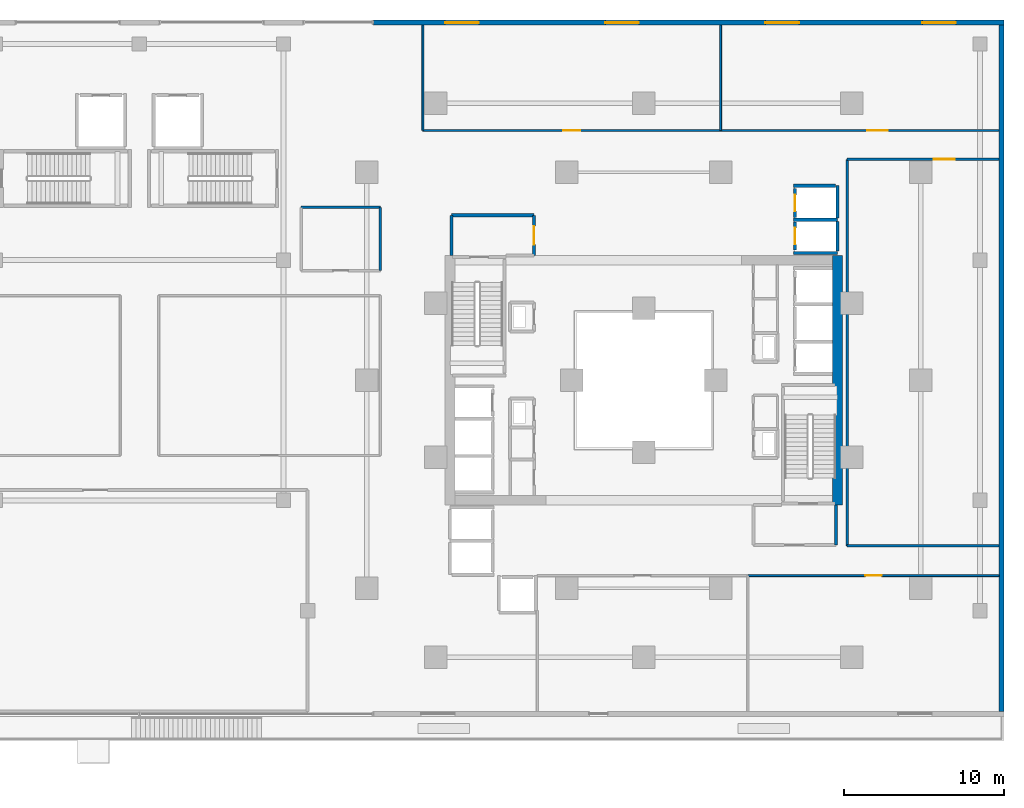
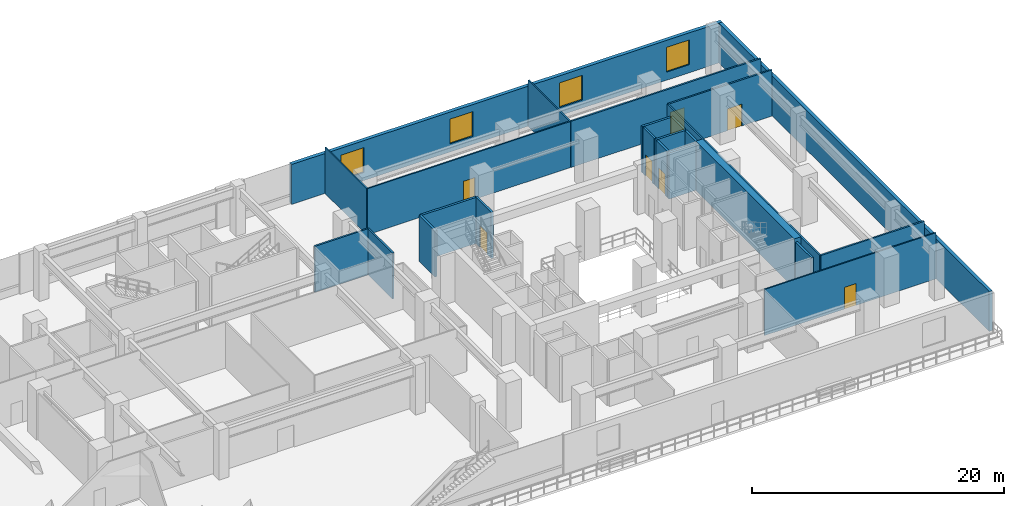
# One storey, part 16 of 22: 24 walls, 7 doors, 4 windows, 11 openings.
"""IFC4 building model written with IfcOpenShell, lengths in metres."""

from ifc_helpers import new_model, si_unit, direction, frame, frame_2d, origin, place, context, subcontext, project, spatial, rectangle, extrude, material, layer, layer_set, type_object, element, fill, save


model = new_model("IFC4")

# Units and contexts
model_context = context("Model", 3, precision=1e-05, world=origin(), true_north=direction((0.0, 1.0)))
body_context = subcontext(model_context, "Body", "Model", "MODEL_VIEW")
ifc_project = project(units=[si_unit("LENGTHUNIT", "METRE"), si_unit("AREAUNIT", "SQUARE_METRE"), si_unit("VOLUMEUNIT", "CUBIC_METRE"), si_unit("PLANEANGLEUNIT", "RADIAN"), si_unit("MASSUNIT", "GRAM", prefix="KILO")], contexts=[model_context])

# Site, building, storey
site_placement = place(None, origin())
site = spatial("IfcSite", under=ifc_project, at=site_placement, CompositionType="ELEMENT")
building_placement = place(site_placement, origin())
building = spatial("IfcBuilding", under=site, at=building_placement, Name="Thornwick Lancets Civic Towers", CompositionType="ELEMENT")
storey_placement = place(building_placement, frame((0.0, 0.0, 4.800048828125)))
storey = spatial("IfcBuildingStorey", under=building, at=storey_placement, Name="L01", CompositionType="ELEMENT", Elevation=4.800048828125)

# Wall, opening, door
ifc_material_1 = material(Name="Concrete blockwork C40/50", Category="masonry")
ifc_layer_1 = layer(ifc_material_1, 0.199951171875, Name="Concrete blockwork C40/50")
ifc_layer_set_1 = layer_set([ifc_layer_1], Name="Concrete blockwork C40/50")
wall_type_1 = type_object("IfcWallType", Name="WALL_COMP_200", PredefinedType="STANDARD", material=ifc_layer_set_1)
wall_1_placement = place(storey_placement, frame((97.949951171875, 36.8701171875, 0.0), z_axis=(0.0, 0.0, 1.0), x_axis=(0.0, -1.0, 0.0)))
wall_1 = element("IfcWall", 1, at=wall_1_placement, inside=storey, type_object=wall_type_1, Name="L01 Hoistway Front Wall PL-BL2", PredefinedType="STANDARD", context=body_context, shape_type="SweptSolid", body=[
    extrude(rectangle(XDim=1.740234375, YDim=0.199951171875, at=frame_2d((0.8701171875, 0.0))), origin(), (0.0, 0.0, 1.0), 4.4599609375),
])
opening_1_placement = place(wall_1_placement, frame((0.360107421875, 0.0, 0.0)))
opening_1 = element("IfcOpeningElement", 2, at=opening_1_placement, cuts=wall_1, Name="Opening LD-PL-BL2", PredefinedType="OPENING", context=body_context, shape_type="SweptSolid", body=[
    extrude(rectangle(XDim=1.02001953125, YDim=2.06005859375, at=frame_2d((0.510009765625, 1.030029296875))), frame((0.0, 0.10986328125, 0.0), z_axis=(0.0, -1.0, 0.0), x_axis=(1.0, 0.0, 0.0)), (0.0, 0.0, 1.0), 0.219970703125),
])
ifc_material_2 = material(Name="Brushed bronze stainless steel", Category="steel")
door_type_1 = type_object("IfcDoorType", Name="DOOR_LIFT_SLIDE", OperationType="SLIDING_TO_LEFT", PredefinedType="DOOR", material=ifc_material_2)
door_1_placement = place(opening_1_placement, origin())
door_1 = element("IfcDoor", 3, at=door_1_placement, inside=storey, type_object=door_type_1, Name="L01 Sliding Lift Landing Door LD-PL-BL2", OperationType="SLIDING_TO_LEFT", OverallHeight=2.06005859375, OverallWidth=1.02001953125, PredefinedType="DOOR", context=body_context, shape_type="SweptSolid", body=[
    extrude(rectangle(XDim=1.02001953125, YDim=2.06005859375, at=frame_2d((0.510009765625, 1.030029296875))), frame((0.0, 0.02490234375, 0.0), z_axis=(0.0, -1.0, 0.0), x_axis=(1.0, 0.0, 0.0)), (0.0, 0.0, 1.0), 0.050048828125),
])
fill(opening_1, door_1)

wall_2_placement = place(storey_placement, frame((97.949951171875, 38.969970703125, 0.0), z_axis=(0.0, 0.0, 1.0), x_axis=(0.0, -1.0, 0.0)))
wall_2 = element("IfcWall", 4, at=wall_2_placement, inside=storey, type_object=wall_type_1, Name="L01 Hoistway Front Wall PL-BL3", PredefinedType="STANDARD", context=body_context, shape_type="SweptSolid", body=[
    extrude(rectangle(XDim=1.7900390625, YDim=0.199951171875, at=frame_2d((0.89501953125, 0.0))), origin(), (0.0, 0.0, 1.0), 4.4599609375),
])
opening_2_placement = place(wall_2_placement, frame((0.385009765625, 0.0, 0.0)))
opening_2 = element("IfcOpeningElement", 5, at=opening_2_placement, cuts=wall_2, Name="Opening LD-PL-BL3", PredefinedType="OPENING", context=body_context, shape_type="SweptSolid", body=[
    extrude(rectangle(XDim=1.02001953125, YDim=2.06005859375, at=frame_2d((0.510009765625, 1.030029296875))), frame((0.0, 0.10986328125, 0.0), z_axis=(0.0, -1.0, 0.0), x_axis=(1.0, 0.0, 0.0)), (0.0, 0.0, 1.0), 0.219970703125),
])
door_2_placement = place(opening_2_placement, origin())
door_2 = element("IfcDoor", 6, at=door_2_placement, inside=storey, type_object=door_type_1, Name="L01 Sliding Lift Landing Door LD-PL-BL3", OperationType="SLIDING_TO_LEFT", OverallHeight=2.06005859375, OverallWidth=1.02001953125, PredefinedType="DOOR", context=body_context, shape_type="SweptSolid", body=[
    extrude(rectangle(XDim=1.02001953125, YDim=2.06005859375, at=frame_2d((0.510009765625, 1.030029296875))), frame((0.0, 0.02490234375, 0.0), z_axis=(0.0, -1.0, 0.0), x_axis=(1.0, 0.0, 0.0)), (0.0, 0.0, 1.0), 0.050048828125),
])
fill(opening_2, door_2)

# Walls
for number, where, z_axis, x_axis, name in (
    (7, (97.85205078125, 37.02490234375, 0.0), (0.0, 0.0, 1.0), (1.0, 0.0, 0.0), "L01 Hoistway Shaft Wall PL-BL2 N"),
    (8, (97.85205078125, 34.949951171875, 0.0), (0.0, 0.0, 1.0), (1.0, 0.0, 0.0), "L01 Hoistway Shaft Wall PL-BL2 S"),
):
    element("IfcWall", number, at=place(storey_placement, frame(where, z_axis=z_axis, x_axis=x_axis)), inside=storey, type_object=wall_type_1, Name=name, PredefinedType="STANDARD", context=body_context, shape_type="SweptSolid", body=[
        extrude(rectangle(XDim=2.745849609375, YDim=0.199951171875, at=frame_2d((1.373046875, 0.0))), origin(), (0.0, 0.0, 1.0), 4.4599609375),
    ])
wall_3_placement = place(storey_placement, frame((100.60009765625, 35.06201171875, 0.0), z_axis=(0.0, 0.0, 1.0), x_axis=(0.0, 1.0, 0.0)))
element("IfcWall", 9, at=wall_3_placement, inside=storey, type_object=wall_type_1, Name="L01 Hoistway Shaft Wall PL-BL2 E", PredefinedType="STANDARD", context=body_context, shape_type="SweptSolid", body=[
    extrude(rectangle(XDim=1.85595703125, YDim=0.199951171875, at=frame_2d((0.927978515625, 0.0))), origin(), (0.0, 0.0, 1.0), 4.4599609375),
])
wall_4_placement = place(storey_placement, frame((100.60009765625, 37.132080078125, 0.0), z_axis=(0.0, 0.0, 1.0), x_axis=(0.0, 1.0, 0.0)))
element("IfcWall", 10, at=wall_4_placement, inside=storey, type_object=wall_type_1, Name="L01 Hoistway Shaft Wall PL-BL2 E", PredefinedType="STANDARD", context=body_context, shape_type="SweptSolid", body=[
    extrude(rectangle(XDim=2.015869140625, YDim=0.199951171875, at=frame_2d((1.0078125, 0.0))), origin(), (0.0, 0.0, 1.0), 4.4599609375),
])
wall_5_placement = place(storey_placement, frame((97.85205078125, 39.14990234375, 0.0), z_axis=(0.0, 0.0, 1.0), x_axis=(1.0, 0.0, 0.0)))
element("IfcWall", 11, at=wall_5_placement, inside=storey, type_object=wall_type_1, Name="L01 Hoistway Shaft Wall PL-BL3 N", PredefinedType="STANDARD", context=body_context, shape_type="SweptSolid", body=[
    extrude(rectangle(XDim=2.635986328125, YDim=0.199951171875, at=frame_2d((1.31787109375, 0.0))), origin(), (0.0, 0.0, 1.0), 4.4599609375),
])
wall_6_placement = place(storey_placement, frame((100.5, 16.699951171875, 0.0), z_axis=(0.0, 0.0, 1.0), x_axis=(0.0, 1.0, 0.0)))
element("IfcWall", 12, at=wall_6_placement, inside=storey, type_object=wall_type_1, Name="L01 Partition L01-B-FFLOB1 E2", PredefinedType="STANDARD", context=body_context, shape_type="SweptSolid", body=[
    extrude(rectangle(XDim=2.5, YDim=0.199951171875, at=frame_2d((1.25, 0.0))), origin(), (0.0, 0.0, 1.0), 4.4599609375),
])

# Wall, opening, door
wall_7_placement = place(storey_placement, frame((81.64990234375, 34.800048828125, 0.0), z_axis=(0.0, 0.0, 1.0), x_axis=(0.0, 1.0, 0.0)))
wall_7 = element("IfcWall", 13, at=wall_7_placement, inside=storey, type_object=wall_type_1, Name="L01 Partition L01-B-FFLOB2 E2", PredefinedType="STANDARD", context=body_context, shape_type="SweptSolid", body=[
    extrude(rectangle(XDim=2.5, YDim=0.199951171875, at=frame_2d((1.25, 0.0))), origin(), (0.0, 0.0, 1.0), 4.4599609375),
])
opening_3_placement = place(wall_7_placement, frame((0.675048828125, 0.0, 0.0)))
opening_3 = element("IfcOpeningElement", 14, at=opening_3_placement, cuts=wall_7, Name="Opening D-L01-0106", PredefinedType="OPENING", context=body_context, shape_type="SweptSolid", body=[
    extrude(rectangle(XDim=1.14990234375, YDim=2.10009765625, at=frame_2d((0.574951171875, 1.050048828125))), frame((0.0, 0.10986328125, 0.0), z_axis=(0.0, -1.0, 0.0), x_axis=(1.0, 0.0, 0.0)), (0.0, 0.0, 1.0), 0.219970703125),
])
ifc_material_3 = material(Name="Glazed fire-resisting steel", Category="steel")
door_type_2 = type_object("IfcDoorType", Name="DOOR_LOBBY_FD60", OperationType="NOTDEFINED", PredefinedType="DOOR", material=ifc_material_3)
door_3_placement = place(opening_3_placement, origin())
door_3 = element("IfcDoor", 15, at=door_3_placement, inside=storey, type_object=door_type_2, Name="L01 West Firefighting Lobby 2 Door", OperationType="SINGLE_SWING_LEFT", OverallHeight=2.10009765625, OverallWidth=1.14990234375, PredefinedType="DOOR", context=body_context, shape_type="SweptSolid", body=[
    extrude(rectangle(XDim=1.14990234375, YDim=2.10009765625, at=frame_2d((0.574951171875, 1.050048828125))), frame((0.0, 0.02490234375, 0.0), z_axis=(0.0, -1.0, 0.0), x_axis=(1.0, 0.0, 0.0)), (0.0, 0.0, 1.0), 0.050048828125),
])
fill(opening_3, door_3)

# Walls
wall_8_placement = place(storey_placement, frame((81.64990234375, 37.300048828125, 0.0), z_axis=(0.0, 0.0, 1.0), x_axis=(-1.0, 0.0, 0.0)))
element("IfcWall", 16, at=wall_8_placement, inside=storey, type_object=wall_type_1, Name="L01 Partition L01-B-FFLOB2 E3", PredefinedType="STANDARD", context=body_context, shape_type="SweptSolid", body=[
    extrude(rectangle(XDim=5.14990234375, YDim=0.199951171875, at=frame_2d((2.574951171875, 0.0))), origin(), (0.0, 0.0, 1.0), 4.4599609375),
])
wall_9_placement = place(storey_placement, frame((76.5, 37.300048828125, 0.0), z_axis=(0.0, 0.0, 1.0), x_axis=(0.0, -1.0, 0.0)))
element("IfcWall", 17, at=wall_9_placement, inside=storey, type_object=wall_type_1, Name="L01 Partition L01-B-FFLOB2 E4", PredefinedType="STANDARD", context=body_context, shape_type="SweptSolid", body=[
    extrude(rectangle(XDim=2.5, YDim=0.199951171875, at=frame_2d((1.25, 0.0))), origin(), (0.0, 0.0, 1.0), 4.4599609375),
])
ifc_material_4 = material(Name="Concrete C60/75", Category="concrete")
ifc_layer_2 = layer(ifc_material_4, 0.60009765625, Name="Concrete C60/75")
ifc_layer_set_2 = layer_set([ifc_layer_2], Name="Concrete C60/75")
wall_type_2 = type_object("IfcWallType", Name="WALL_CORE_600", PredefinedType="SHEAR", material=ifc_layer_set_2)
wall_10_placement = place(storey_placement, frame((100.60009765625, 19.199951171875, 0.0), z_axis=(0.0, 0.0, 1.0), x_axis=(0.0, 1.0, 0.0)))
element("IfcWall", 18, at=wall_10_placement, inside=storey, type_object=wall_type_2, Name="L01 Split Core B1 Shear Wall E", PredefinedType="SHEAR", context=body_context, shape_type="SweptSolid", body=[
    extrude(rectangle(XDim=15.60009765625, YDim=0.60009765625, at=frame_2d((7.800048828125, 0.0))), origin(), (0.0, 0.0, 1.0), 4.800048828125),
])
ifc_material_5 = material(Name="Insulated russet terracotta rainscreen on concrete C40/50", Category="masonry")
ifc_layer_3 = layer(ifc_material_5, 0.300048828125, Name="Insulated russet terracotta rainscreen on concrete C40/50")
ifc_layer_set_3 = layer_set([ifc_layer_3], Name="Insulated russet terracotta rainscreen on concrete C40/50")
wall_type_3 = type_object("IfcWallType", Name="WALL_EXT_RUSSET_300", PredefinedType="STANDARD", material=ifc_layer_set_3)
wall_11_placement = place(storey_placement, frame((110.85009765625, 6.320068359375, 0.0), z_axis=(0.0, 0.0, 1.0), x_axis=(0.0, 1.0, 0.0)))
element("IfcWall", 19, at=wall_11_placement, inside=storey, type_object=wall_type_3, Name="L01 Podium East Facade Wall", PredefinedType="STANDARD", context=body_context, shape_type="SweptSolid", body=[
    extrude(rectangle(XDim=42.85986328125, YDim=0.300048828125, at=frame_2d((21.429931640625, 0.0))), origin(), (0.0, 0.0, 1.0), 3.85986328125),
])

# Wall, openings, windows
ifc_material_6 = material(Name="Insulated buff terracotta rainscreen on concrete C40/50", Category="masonry")
ifc_layer_4 = layer(ifc_material_6, 0.320068359375, Name="Insulated buff terracotta rainscreen on concrete C40/50")
ifc_layer_set_4 = layer_set([ifc_layer_4], Name="Insulated buff terracotta rainscreen on concrete C40/50")
wall_type_4 = type_object("IfcWallType", Name="WALL_EXT_TERRA_320", PredefinedType="STANDARD", material=ifc_layer_set_4)
wall_12_placement = place(storey_placement, frame((111.0, 49.340087890625, 0.0), z_axis=(0.0, 0.0, 1.0), x_axis=(-1.0, 0.0, 0.0)))
wall_12 = element("IfcWall", 20, at=wall_12_placement, inside=storey, type_object=wall_type_4, Name="L01 Podium North-East Facade Wall", PredefinedType="STANDARD", context=body_context, shape_type="SweptSolid", body=[
    extrude(rectangle(XDim=39.39990234375, YDim=0.320068359375, at=frame_2d((19.699951171875, 0.0))), origin(), (0.0, 0.0, 1.0), 3.85986328125),
])
opening_4_placement = place(wall_12_placement, frame((3.0, 0.0, 0.780029296875)))
opening_4 = element("IfcOpeningElement", 21, at=opening_4_placement, cuts=wall_12, Name="Opening WP-21", PredefinedType="OPENING", context=body_context, shape_type="SweptSolid", body=[
    extrude(rectangle(XDim=2.10009765625, YDim=2.39990234375, at=frame_2d((1.050048828125, 1.199951171875))), frame((0.0, 0.169921875, 0.0), z_axis=(0.0, -1.0, 0.0), x_axis=(1.0, 0.0, 0.0)), (0.0, 0.0, 1.0), 0.340087890625),
])
opening_5_placement = place(wall_12_placement, frame((12.800048828125, 0.0, 0.780029296875)))
opening_5 = element("IfcOpeningElement", 22, at=opening_5_placement, cuts=wall_12, Name="Opening WP-21", PredefinedType="OPENING", context=body_context, shape_type="SweptSolid", body=[
    extrude(rectangle(XDim=2.10009765625, YDim=2.39990234375, at=frame_2d((1.050048828125, 1.199951171875))), frame((0.0, 0.169921875, 0.0), z_axis=(0.0, -1.0, 0.0), x_axis=(1.0, 0.0, 0.0)), (0.0, 0.0, 1.0), 0.340087890625),
])
opening_6_placement = place(wall_12_placement, frame((22.800048828125, 0.0, 0.780029296875)))
opening_6 = element("IfcOpeningElement", 23, at=opening_6_placement, cuts=wall_12, Name="Opening WP-21", PredefinedType="OPENING", context=body_context, shape_type="SweptSolid", body=[
    extrude(rectangle(XDim=2.10009765625, YDim=2.39990234375, at=frame_2d((1.050048828125, 1.199951171875))), frame((0.0, 0.169921875, 0.0), z_axis=(0.0, -1.0, 0.0), x_axis=(1.0, 0.0, 0.0)), (0.0, 0.0, 1.0), 0.340087890625),
])
opening_7_placement = place(wall_12_placement, frame((32.800048828125, 0.0, 0.780029296875)))
opening_7 = element("IfcOpeningElement", 24, at=opening_7_placement, cuts=wall_12, Name="Opening WP-21", PredefinedType="OPENING", context=body_context, shape_type="SweptSolid", body=[
    extrude(rectangle(XDim=2.10009765625, YDim=2.39990234375, at=frame_2d((1.050048828125, 1.199951171875))), frame((0.0, 0.169921875, 0.0), z_axis=(0.0, -1.0, 0.0), x_axis=(1.0, 0.0, 0.0)), (0.0, 0.0, 1.0), 0.340087890625),
])
ifc_material_7 = material(Name="Grand civic pointed lancet glass window", Category="glass")
window_type = type_object("IfcWindowType", Name="WIN_PODIUM_2100", PartitioningType="SINGLE_PANEL", PredefinedType="WINDOW", material=ifc_material_7)
window_1_placement = place(opening_4_placement, origin())
window_1 = element("IfcWindow", 25, at=window_1_placement, inside=storey, type_object=window_type, Name="L01 Podium Lancet Window 1", OverallHeight=2.39990234375, OverallWidth=2.10009765625, PartitioningType="SINGLE_PANEL", PredefinedType="WINDOW", context=body_context, shape_type="SweptSolid", body=[
    extrude(rectangle(XDim=2.10009765625, YDim=2.39990234375, at=frame_2d((1.050048828125, 1.199951171875))), frame((0.0, 0.030029296875, 0.0), z_axis=(0.0, -1.0, 0.0), x_axis=(1.0, 0.0, 0.0)), (0.0, 0.0, 1.0), 0.06005859375),
])
fill(opening_4, window_1)
window_2_placement = place(opening_5_placement, origin())
window_2 = element("IfcWindow", 26, at=window_2_placement, inside=storey, type_object=window_type, Name="L01 Podium Lancet Window 2", OverallHeight=2.39990234375, OverallWidth=2.10009765625, PartitioningType="SINGLE_PANEL", PredefinedType="WINDOW", context=body_context, shape_type="SweptSolid", body=[
    extrude(rectangle(XDim=2.10009765625, YDim=2.39990234375, at=frame_2d((1.050048828125, 1.199951171875))), frame((0.0, 0.030029296875, 0.0), z_axis=(0.0, -1.0, 0.0), x_axis=(1.0, 0.0, 0.0)), (0.0, 0.0, 1.0), 0.06005859375),
])
fill(opening_5, window_2)
window_3_placement = place(opening_6_placement, origin())
window_3 = element("IfcWindow", 27, at=window_3_placement, inside=storey, type_object=window_type, Name="L01 Podium Lancet Window 3", OverallHeight=2.39990234375, OverallWidth=2.10009765625, PartitioningType="SINGLE_PANEL", PredefinedType="WINDOW", context=body_context, shape_type="SweptSolid", body=[
    extrude(rectangle(XDim=2.10009765625, YDim=2.39990234375, at=frame_2d((1.050048828125, 1.199951171875))), frame((0.0, 0.030029296875, 0.0), z_axis=(0.0, -1.0, 0.0), x_axis=(1.0, 0.0, 0.0)), (0.0, 0.0, 1.0), 0.06005859375),
])
fill(opening_6, window_3)
window_4_placement = place(opening_7_placement, origin())
window_4 = element("IfcWindow", 28, at=window_4_placement, inside=storey, type_object=window_type, Name="L01 Podium Lancet Window 4", OverallHeight=2.39990234375, OverallWidth=2.10009765625, PartitioningType="SINGLE_PANEL", PredefinedType="WINDOW", context=body_context, shape_type="SweptSolid", body=[
    extrude(rectangle(XDim=2.10009765625, YDim=2.39990234375, at=frame_2d((1.050048828125, 1.199951171875))), frame((0.0, 0.030029296875, 0.0), z_axis=(0.0, -1.0, 0.0), x_axis=(1.0, 0.0, 0.0)), (0.0, 0.0, 1.0), 0.06005859375),
])
fill(opening_7, window_4)

# Wall, opening, door
ifc_material_8 = material(Name="Acoustic gypsum board partition")
ifc_layer_5 = layer(ifc_material_8, 0.1201171875, Name="Acoustic gypsum board partition")
ifc_layer_set_5 = layer_set([ifc_layer_5], Name="Acoustic gypsum board partition")
wall_type_5 = type_object("IfcWallType", Name="WALL_PART_120", PredefinedType="PARTITIONING", material=ifc_layer_set_5)
wall_13_placement = place(storey_placement, frame((95.0, 14.800048828125, 0.0), z_axis=(0.0, 0.0, 1.0), x_axis=(1.0, 0.0, 0.0)))
wall_13 = element("IfcWall", 29, at=wall_13_placement, inside=storey, type_object=wall_type_5, Name="L01 Partition L01-PANT E3", PredefinedType="PARTITIONING", context=body_context, shape_type="SweptSolid", body=[
    extrude(rectangle(XDim=15.699951171875, YDim=0.1201171875, at=frame_2d((7.85009765625, 0.0))), origin(), (0.0, 0.0, 1.0), 4.4599609375),
])
opening_8_placement = place(wall_13_placement, frame((7.324951171875, 0.0, 0.0)))
opening_8 = element("IfcOpeningElement", 30, at=opening_8_placement, cuts=wall_13, Name="Opening D-L01-0123", PredefinedType="OPENING", context=body_context, shape_type="SweptSolid", body=[
    extrude(rectangle(XDim=1.050048828125, YDim=2.10009765625, at=frame_2d((0.52490234375, 1.050048828125))), frame((0.0, 0.070068359375, 0.0), z_axis=(0.0, -1.0, 0.0), x_axis=(1.0, 0.0, 0.0)), (0.0, 0.0, 1.0), 0.14013671875),
])
ifc_material_9 = material(Name="Glazed European oak executive doorset")
door_type_3 = type_object("IfcDoorType", Name="DOOR_OFFICE_1050", OperationType="NOTDEFINED", PredefinedType="DOOR", material=ifc_material_9)
door_4_placement = place(opening_8_placement, origin())
door_4 = element("IfcDoor", 31, at=door_4_placement, inside=storey, type_object=door_type_3, Name="Members Dining and Tea Lounge Door", OperationType="SINGLE_SWING_RIGHT", OverallHeight=2.10009765625, OverallWidth=1.050048828125, PredefinedType="DOOR", context=body_context, shape_type="SweptSolid", body=[
    extrude(rectangle(XDim=1.050048828125, YDim=2.10009765625, at=frame_2d((0.52490234375, 1.050048828125))), frame((0.0, 0.02490234375, 0.0), z_axis=(0.0, -1.0, 0.0), x_axis=(1.0, 0.0, 0.0)), (0.0, 0.0, 1.0), 0.050048828125),
])
fill(opening_8, door_4)

# Walls
for number, where, z_axis, x_axis, name in (
    (32, (74.699951171875, 42.60009765625, 0.0), (0.0, 0.0, 1.0), (0.0, 1.0, 0.0), "L01 Partition L01-SEC E1"),
    (33, (93.300048828125, 49.179931640625, 0.0), (0.0, 0.0, 1.0), (0.0, -1.0, 0.0), "L01 Partition L01-SEC E3"),
):
    element("IfcWall", number, at=place(storey_placement, frame(where, z_axis=z_axis, x_axis=x_axis)), inside=storey, type_object=wall_type_5, Name=name, PredefinedType="PARTITIONING", context=body_context, shape_type="SweptSolid", body=[
        extrude(rectangle(XDim=6.579833984375, YDim=0.1201171875, at=frame_2d((3.2900390625, 0.0))), origin(), (0.0, 0.0, 1.0), 4.4599609375),
    ])

# Wall, opening, door
wall_14_placement = place(storey_placement, frame((93.300048828125, 42.60009765625, 0.0), z_axis=(0.0, 0.0, 1.0), x_axis=(-1.0, 0.0, 0.0)))
wall_14 = element("IfcWall", 34, at=wall_14_placement, inside=storey, type_object=wall_type_5, Name="L01 Partition L01-SEC E4", PredefinedType="PARTITIONING", context=body_context, shape_type="SweptSolid", body=[
    extrude(rectangle(XDim=18.60009765625, YDim=0.1201171875, at=frame_2d((9.300048828125, 0.0))), origin(), (0.0, 0.0, 1.0), 4.4599609375),
])
opening_9_placement = place(wall_14_placement, frame((8.77490234375, 0.0, 0.0)))
opening_9 = element("IfcOpeningElement", 35, at=opening_9_placement, cuts=wall_14, Name="Opening D-L01-0130", PredefinedType="OPENING", context=body_context, shape_type="SweptSolid", body=[
    extrude(rectangle(XDim=1.050048828125, YDim=2.10009765625, at=frame_2d((0.52490234375, 1.050048828125))), frame((0.0, 0.070068359375, 0.0), z_axis=(0.0, -1.0, 0.0), x_axis=(1.0, 0.0, 0.0)), (0.0, 0.0, 1.0), 0.14013671875),
])
door_5_placement = place(opening_9_placement, origin())
door_5 = element("IfcDoor", 36, at=door_5_placement, inside=storey, type_object=door_type_3, Name="Secretariat Directorate Office Door", OperationType="SINGLE_SWING_LEFT", OverallHeight=2.10009765625, OverallWidth=1.050048828125, PredefinedType="DOOR", context=body_context, shape_type="SweptSolid", body=[
    extrude(rectangle(XDim=1.050048828125, YDim=2.10009765625, at=frame_2d((0.52490234375, 1.050048828125))), frame((0.0, 0.02490234375, 0.0), z_axis=(0.0, -1.0, 0.0), x_axis=(1.0, 0.0, 0.0)), (0.0, 0.0, 1.0), 0.050048828125),
])
fill(opening_9, door_5)

# Walls
ifc_material_10 = material(Name="Twin-stud acoustic gypsum board")
ifc_layer_6 = layer(ifc_material_10, 0.14990234375, Name="Twin-stud acoustic gypsum board")
ifc_layer_set_6 = layer_set([ifc_layer_6], Name="Twin-stud acoustic gypsum board")
wall_type_6 = type_object("IfcWallType", Name="WALL_PART_150", PredefinedType="PARTITIONING", material=ifc_layer_set_6)
wall_15_placement = place(storey_placement, frame((72.050048828125, 33.85009765625, 0.0), z_axis=(0.0, 0.0, 1.0), x_axis=(0.0, 1.0, 0.0)))
element("IfcWall", 37, at=wall_15_placement, inside=storey, type_object=wall_type_6, Name="L01 Partition L01-POD-FWC E2", PredefinedType="PARTITIONING", context=body_context, shape_type="SweptSolid", body=[
    extrude(rectangle(XDim=3.949951171875, YDim=0.14990234375, at=frame_2d((1.97509765625, 0.0))), origin(), (0.0, 0.0, 1.0), 4.4599609375),
])
wall_16_placement = place(storey_placement, frame((72.050048828125, 37.800048828125, 0.0), z_axis=(0.0, 0.0, 1.0), x_axis=(-1.0, 0.0, 0.0)))
element("IfcWall", 38, at=wall_16_placement, inside=storey, type_object=wall_type_6, Name="L01 Partition L01-POD-FWC E3", PredefinedType="PARTITIONING", context=body_context, shape_type="SweptSolid", body=[
    extrude(rectangle(XDim=4.949951171875, YDim=0.14990234375, at=frame_2d((2.47509765625, 0.0))), origin(), (0.0, 0.0, 1.0), 4.4599609375),
])
wall_17_placement = place(storey_placement, frame((101.199951171875, 16.64990234375, 0.0), z_axis=(0.0, 0.0, 1.0), x_axis=(0.0, 1.0, 0.0)))
element("IfcWall", 39, at=wall_17_placement, inside=storey, type_object=wall_type_6, Name="L01 Partition L01-COMM2 E1", PredefinedType="PARTITIONING", context=body_context, shape_type="SweptSolid", body=[
    extrude(rectangle(XDim=24.150146484375, YDim=0.14990234375, at=frame_2d((12.0751953125, 0.0))), origin(), (0.0, 0.0, 1.0), 4.4599609375),
])

# Wall, opening, door
wall_18_placement = place(storey_placement, frame((101.199951171875, 40.800048828125, 0.0), z_axis=(0.0, 0.0, 1.0), x_axis=(1.0, 0.0, 0.0)))
wall_18 = element("IfcWall", 40, at=wall_18_placement, inside=storey, type_object=wall_type_6, Name="L01 Partition L01-COMM2 E2", PredefinedType="PARTITIONING", context=body_context, shape_type="SweptSolid", body=[
    extrude(rectangle(XDim=9.5, YDim=0.14990234375, at=frame_2d((4.75, 0.0))), origin(), (0.0, 0.0, 1.0), 4.4599609375),
])
opening_10_placement = place(wall_18_placement, frame((5.419921875, 0.0, 0.0)))
opening_10 = element("IfcOpeningElement", 41, at=opening_10_placement, cuts=wall_18, Name="Opening D-L01-0127", PredefinedType="OPENING", context=body_context, shape_type="SweptSolid", body=[
    extrude(rectangle(XDim=1.300048828125, YDim=2.1201171875, at=frame_2d((0.64990234375, 1.06005859375))), frame((0.0, 0.0849609375, 0.0), z_axis=(0.0, -1.0, 0.0), x_axis=(1.0, 0.0, 0.0)), (0.0, 0.0, 1.0), 0.169921875),
])
ifc_material_11 = material(Name="Acoustic oak leaf-and-a-half doorset")
door_type_4 = type_object("IfcDoorType", Name="DOOR_MEET_1300", OperationType="DOUBLE_DOOR_SINGLE_SWING", PredefinedType="DOOR", material=ifc_material_11)
door_6_placement = place(opening_10_placement, origin())
door_6 = element("IfcDoor", 42, at=door_6_placement, inside=storey, type_object=door_type_4, Name="Standing Committee Room 2 Door", OperationType="DOUBLE_DOOR_SINGLE_SWING", OverallHeight=2.1201171875, OverallWidth=1.300048828125, PredefinedType="DOOR", context=body_context, shape_type="SweptSolid", body=[
    extrude(rectangle(XDim=1.300048828125, YDim=2.1201171875, at=frame_2d((0.64990234375, 1.06005859375))), frame((0.0, 0.02490234375, 0.0), z_axis=(0.0, -1.0, 0.0), x_axis=(1.0, 0.0, 0.0)), (0.0, 0.0, 1.0), 0.050048828125),
])
fill(opening_10, door_6)

# Wall
wall_19_placement = place(storey_placement, frame((110.699951171875, 16.64990234375, 0.0), z_axis=(0.0, 0.0, 1.0), x_axis=(-1.0, 0.0, 0.0)))
element("IfcWall", 43, at=wall_19_placement, inside=storey, type_object=wall_type_6, Name="L01 Partition L01-COMM2 E4", PredefinedType="PARTITIONING", context=body_context, shape_type="SweptSolid", body=[
    extrude(rectangle(XDim=9.5, YDim=0.14990234375, at=frame_2d((4.75, 0.0))), origin(), (0.0, 0.0, 1.0), 4.4599609375),
])

# Wall, opening, door
wall_20_placement = place(storey_placement, frame((110.699951171875, 42.60009765625, 0.0), z_axis=(0.0, 0.0, 1.0), x_axis=(-1.0, 0.0, 0.0)))
wall_20 = element("IfcWall", 44, at=wall_20_placement, inside=storey, type_object=wall_type_6, Name="L01 Partition L01-MEETN E4", PredefinedType="PARTITIONING", context=body_context, shape_type="SweptSolid", body=[
    extrude(rectangle(XDim=17.39990234375, YDim=0.14990234375, at=frame_2d((8.699951171875, 0.0))), origin(), (0.0, 0.0, 1.0), 4.4599609375),
])
opening_11_placement = place(wall_20_placement, frame((6.949951171875, 0.0, 0.0)))
opening_11 = element("IfcOpeningElement", 45, at=opening_11_placement, cuts=wall_20, Name="Opening D-L01-0131", PredefinedType="OPENING", context=body_context, shape_type="SweptSolid", body=[
    extrude(rectangle(XDim=1.300048828125, YDim=2.1201171875, at=frame_2d((0.64990234375, 1.06005859375))), frame((0.0, 0.0849609375, 0.0), z_axis=(0.0, -1.0, 0.0), x_axis=(1.0, 0.0, 0.0)), (0.0, 0.0, 1.0), 0.169921875),
])
door_7_placement = place(opening_11_placement, origin())
door_7 = element("IfcDoor", 46, at=door_7_placement, inside=storey, type_object=door_type_4, Name="Inter-Departmental Conference Room Door", OperationType="DOUBLE_DOOR_SINGLE_SWING", OverallHeight=2.1201171875, OverallWidth=1.300048828125, PredefinedType="DOOR", context=body_context, shape_type="SweptSolid", body=[
    extrude(rectangle(XDim=1.300048828125, YDim=2.1201171875, at=frame_2d((0.64990234375, 1.06005859375))), frame((0.0, 0.02490234375, 0.0), z_axis=(0.0, -1.0, 0.0), x_axis=(1.0, 0.0, 0.0)), (0.0, 0.0, 1.0), 0.050048828125),
])
fill(opening_11, door_7)

save(model, "model.ifc")
